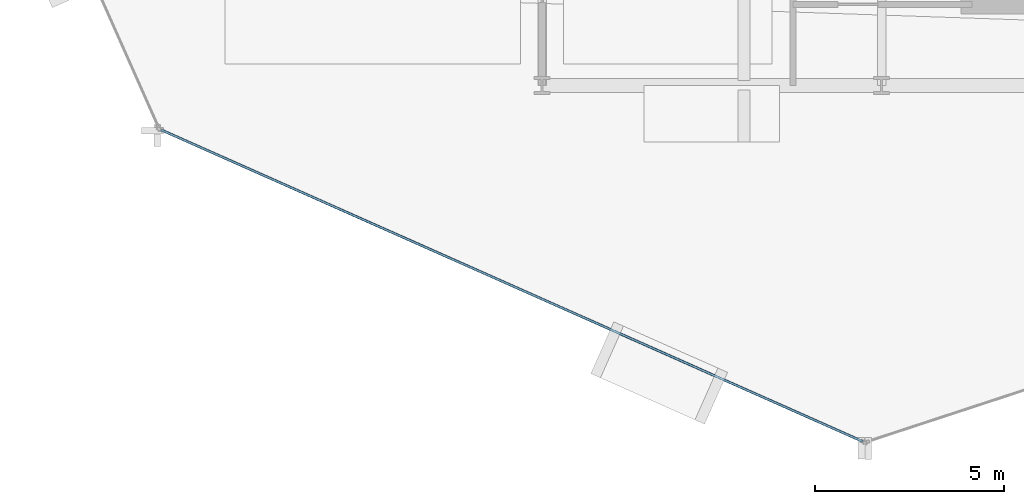
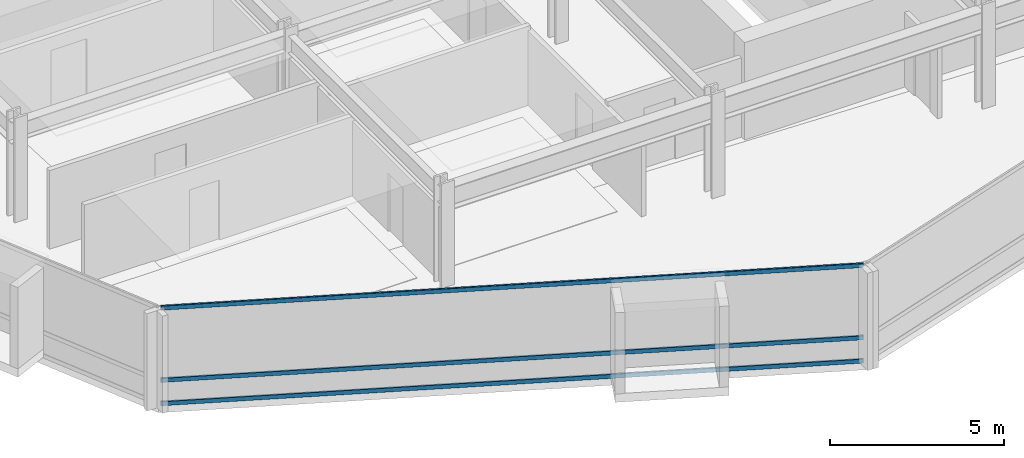
# One storey, part 3 of 34: 3 members, 1 element without a shape of its own.
"""IFC4 building model written with IfcOpenShell, lengths in metres."""

from ifc_helpers import new_model, si_unit, direction, frame, origin, origin_2d, place, context, subcontext, project, spatial, hollow_rectangle, extrude, material, layer, layer_set, material_profile, profile_set, type_object, element, aggregate, save


model = new_model("IFC4")

# Units and contexts
model_context = context("Model", 3, precision=1e-05, world=origin(), true_north=direction((0.0, 1.0)))
body_context = subcontext(model_context, "Body", "Model", "MODEL_VIEW")
ifc_project = project(units=[si_unit("LENGTHUNIT", "METRE"), si_unit("AREAUNIT", "SQUARE_METRE"), si_unit("VOLUMEUNIT", "CUBIC_METRE"), si_unit("PLANEANGLEUNIT", "RADIAN"), si_unit("MASSUNIT", "GRAM", prefix="KILO")], contexts=[model_context])

# Site, building, storey
site_placement = place(None, origin())
site = spatial("IfcSite", under=ifc_project, at=site_placement, CompositionType="ELEMENT")
building_placement = place(site_placement, origin())
building = spatial("IfcBuilding", under=site, at=building_placement, Name="Solvaryn Broadcast Tower", CompositionType="ELEMENT")
storey_placement = place(building_placement, frame((0.0, 0.0, 89.10009765625)))
storey = spatial("IfcBuildingStorey", under=building, at=storey_placement, Name="L21", CompositionType="ELEMENT", Elevation=89.10009765625)

# Curtain wall, members
ifc_material_1 = material(Name="Aluminium and Terracotta Unitised Curtain Wall", Category="masonry")
ifc_layer = layer(ifc_material_1, 0.199951171875)
ifc_layer_set = layer_set([ifc_layer], Name="CW-SYS2-LOWMID")
curtain_wall_type = type_object("IfcCurtainWallType", Name="CW-SYS2-LOWMID", PredefinedType="NOTDEFINED", material=ifc_layer_set)
curtain_wall_placement = place(storey_placement, origin())
curtain_wall = element("IfcCurtainWall", 1, at=curtain_wall_placement, inside=storey, type_object=curtain_wall_type, Name="L21 Curtain Wall DR3", PredefinedType="NOTDEFINED")
ifc_material_2 = material(Name="Anodised Aluminium 6063-T6", Category="aluminium")
ifc_material_profile = material_profile(ifc_material_2, hollow_rectangle(XDim=0.06494140625, YDim=0.14990234375, WallThickness=0.00390625, InnerFilletRadius=0.00390625, OuterFilletRadius=0.008056640625, at=origin_2d()))
ifc_profile_set = profile_set([ifc_material_profile], Name="Anodised Aluminium 6063-T6")
member_type = type_object("IfcMemberType", Name="CW-TRN-150", PredefinedType="USERDEFINED", material=ifc_profile_set)
member_1_placement = place(storey_placement, frame((7.90185546875, 7.82275390625, 0.02978515625), z_axis=(0.913914888191, -0.405905872269, 0.0), x_axis=(0.405905872269, 0.913914888191, 0.0)))
member_1 = element("IfcMember", 2, at=member_1_placement, type_object=member_type, Name="CWS2 transom 1.1", ObjectType="TRANSOM", PredefinedType="USERDEFINED", context=body_context, shape_type="SweptSolid", body=[
    extrude(hollow_rectangle(XDim=0.06494140625, YDim=0.14990234375, WallThickness=0.00390625, InnerFilletRadius=0.00390625, OuterFilletRadius=0.008056640625, at=origin_2d()), origin(), (0.0, 0.0, 1.0), 20.35546875),
])
member_2_placement = place(storey_placement, frame((7.90185546875, 7.82275390625, 0.849853515625), z_axis=(0.913914888191, -0.405905872269, 0.0), x_axis=(0.405905872269, 0.913914888191, 0.0)))
member_2 = element("IfcMember", 3, at=member_2_placement, type_object=member_type, Name="CWS2 transom 1.2", ObjectType="TRANSOM", PredefinedType="USERDEFINED", context=body_context, shape_type="SweptSolid", body=[
    extrude(hollow_rectangle(XDim=0.06494140625, YDim=0.14990234375, WallThickness=0.00390625, InnerFilletRadius=0.00390625, OuterFilletRadius=0.008056640625, at=origin_2d()), origin(), (0.0, 0.0, 1.0), 20.35546875),
])
member_3_placement = place(storey_placement, frame((7.90185546875, 7.82275390625, 3.389892578125), z_axis=(0.913914888191, -0.405905872269, 0.0), x_axis=(0.405905872269, 0.913914888191, 0.0)))
member_3 = element("IfcMember", 4, at=member_3_placement, type_object=member_type, Name="CWS2 transom 1.3", ObjectType="TRANSOM", PredefinedType="USERDEFINED", context=body_context, shape_type="SweptSolid", body=[
    extrude(hollow_rectangle(XDim=0.06494140625, YDim=0.14990234375, WallThickness=0.00390625, InnerFilletRadius=0.00390625, OuterFilletRadius=0.008056640625, at=origin_2d()), origin(), (0.0, 0.0, 1.0), 20.35546875),
])
aggregate(curtain_wall, [member_1, member_2, member_3])

save(model, "model.ifc")
